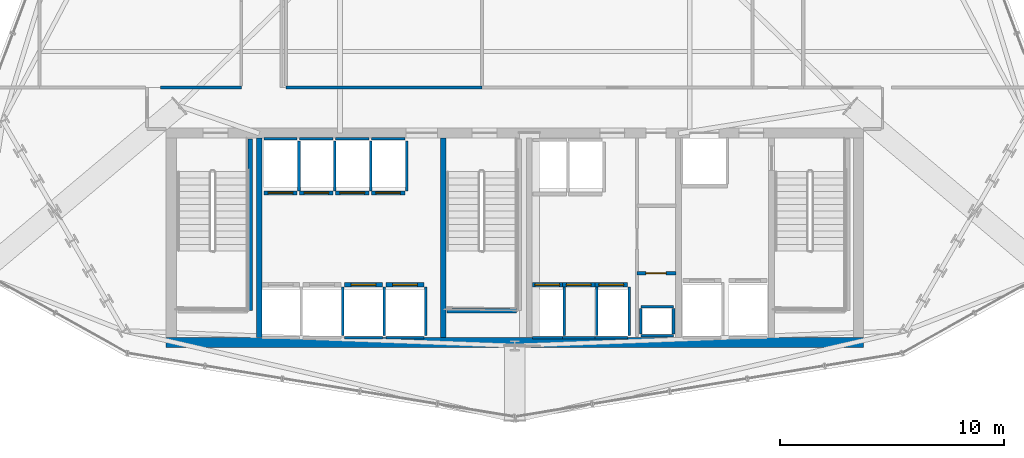
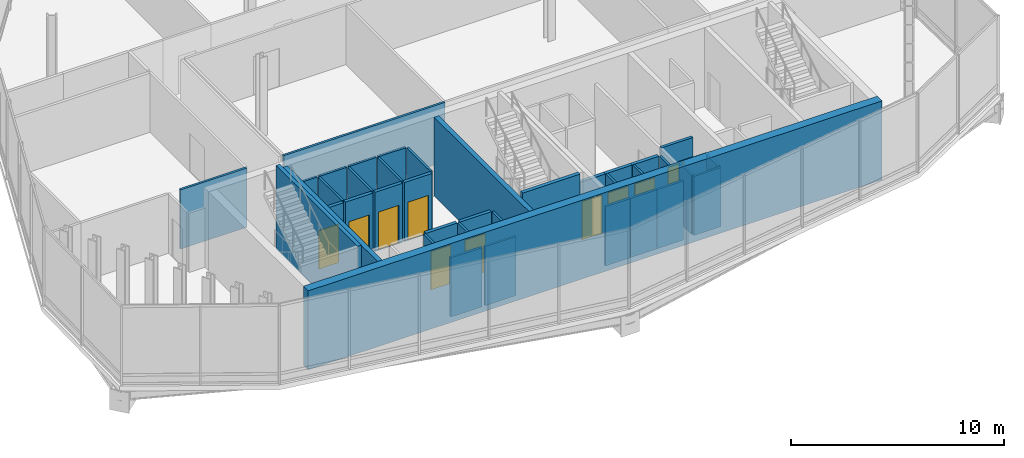
# One storey, part 21 of 26: 40 walls, 10 doors, 10 openings.
"""IFC4 building model written with IfcOpenShell, lengths in metres."""

from ifc_helpers import new_model, si_unit, direction, frame, frame_2d, origin, place, context, subcontext, project, spatial, rectangle, extrude, material, layer, layer_set, type_object, element, fill, save


model = new_model("IFC4")

# Units and contexts
model_context = context("Model", 3, precision=1e-05, world=origin(), true_north=direction((0.0, 1.0)))
body_context = subcontext(model_context, "Body", "Model", "MODEL_VIEW")
ifc_project = project(units=[si_unit("LENGTHUNIT", "METRE"), si_unit("AREAUNIT", "SQUARE_METRE"), si_unit("VOLUMEUNIT", "CUBIC_METRE"), si_unit("PLANEANGLEUNIT", "RADIAN"), si_unit("MASSUNIT", "GRAM", prefix="KILO")], contexts=[model_context])

# Site, building, storey
site_placement = place(None, origin())
site = spatial("IfcSite", under=ifc_project, at=site_placement, CompositionType="ELEMENT")
building_placement = place(site_placement, origin())
building = spatial("IfcBuilding", under=site, at=building_placement, Name="Ndaravel Arena Tower", CompositionType="ELEMENT")
storey_placement = place(building_placement, frame((0.0, 0.0, 117.39990234375)))
storey = spatial("IfcBuildingStorey", under=building, at=storey_placement, Name="L27", CompositionType="ELEMENT", Elevation=117.39990234375)

# Wall, opening, door
ifc_material_1 = material(Name="Gypsum", Category="gypsum")
ifc_layer_1 = layer(ifc_material_1, 0.14990234375)
ifc_layer_set_1 = layer_set([ifc_layer_1], Name="Gypsum")
wall_type_1 = type_object("IfcWallType", Name="WALL-COMP-150", PredefinedType="PARTITIONING", material=ifc_layer_set_1)
wall_1_placement = place(storey_placement, frame((47.449951171875, 8.719970703125, 0.0), z_axis=(0.0, 0.0, 1.0), x_axis=(1.0, 0.0, 0.0)))
wall_1 = element("IfcWall", 1, at=wall_1_placement, inside=storey, type_object=wall_type_1, Name="L27 Core Riser Divider 1", PredefinedType="PARTITIONING", context=body_context, shape_type="SweptSolid", body=[
    extrude(rectangle(XDim=1.72998046875, YDim=0.14990234375, at=frame_2d((0.864990234375, 0.0))), origin(), (0.0, 0.0, 1.0), 3.39013671875),
])
opening_1_placement = place(wall_1_placement, frame((0.39990234375, 0.0, 0.0)))
opening_1 = element("IfcOpeningElement", 2, at=opening_1_placement, cuts=wall_1, Name="Opening RD-01", PredefinedType="OPENING", context=body_context, shape_type="SweptSolid", body=[
    extrude(rectangle(XDim=0.89990234375, YDim=2.10009765625, at=frame_2d((0.449951171875, 1.050048828125))), frame((0.0, 0.074951171875, 0.0), z_axis=(0.0, -1.0, 0.0), x_axis=(1.0, 0.0, 0.0)), (0.0, 0.0, 1.0), 0.14990234375),
])
ifc_material_2 = material(Name="Steel S355", Category="steel")
door_type_1 = type_object("IfcDoorType", Name="DT-08-RISER-900", OperationType="SINGLE_SWING_LEFT", PredefinedType="DOOR", material=ifc_material_2)
door_1_placement = place(opening_1_placement, origin())
door_1 = element("IfcDoor", 3, at=door_1_placement, inside=storey, type_object=door_type_1, Name="L27 Low-Voltage Riser Door", OperationType="SINGLE_SWING_RIGHT", OverallHeight=2.10009765625, OverallWidth=0.89990234375, PredefinedType="DOOR", context=body_context, shape_type="SweptSolid", body=[
    extrude(rectangle(XDim=0.89990234375, YDim=2.10009765625, at=frame_2d((0.449951171875, 1.050048828125))), frame((0.0, 0.02490234375, 0.0), z_axis=(0.0, -1.0, 0.0), x_axis=(1.0, 0.0, 0.0)), (0.0, 0.0, 1.0), 0.050048828125),
])
fill(opening_1, door_1)

# Walls
ifc_material_3 = material(Name="Concrete C60/75", Category="concrete")
ifc_layer_2 = layer(ifc_material_3, 0.25)
ifc_layer_set_2 = layer_set([ifc_layer_2], Name="Concrete C60/75")
wall_type_2 = type_object("IfcWallType", Name="WALL-CORE-250", PredefinedType="SOLIDWALL", material=ifc_layer_set_2)
for number, where, z_axis, x_axis, name in (
    (4, (30.60009765625, 5.85009765625, 0.0), (0.0, 0.0, 1.0), (0.0, 1.0, 0.0), "L27 Core Web Shear Wall 1"),
    (5, (38.800048828125, 5.85009765625, 0.0), (0.0, 0.0, 1.0), (0.0, 1.0, 0.0), "L27 Core Web Shear Wall 2"),
):
    element("IfcWall", number, at=place(storey_placement, frame(where, z_axis=z_axis, x_axis=x_axis)), inside=storey, type_object=wall_type_2, Name=name, PredefinedType="SOLIDWALL", context=body_context, shape_type="SweptSolid", body=[
        extrude(rectangle(XDim=8.89990234375, YDim=0.25, at=frame_2d((4.449951171875, 0.0))), origin(), (0.0, 0.0, 1.0), 4.52001953125),
    ])
ifc_material_4 = material(Name="Concrete C60/75", Category="concrete")
ifc_layer_3 = layer(ifc_material_4, 0.449951171875)
ifc_layer_set_3 = layer_set([ifc_layer_3], Name="Concrete C60/75")
wall_type_3 = type_object("IfcWallType", Name="WALL-CORE-450", PredefinedType="SOLIDWALL", material=ifc_layer_set_3)
wall_2_placement = place(storey_placement, frame((26.449951171875, 5.625, 0.0), z_axis=(0.0, 0.0, 1.0), x_axis=(1.0, 0.0, 0.0)))
element("IfcWall", 6, at=wall_2_placement, inside=storey, type_object=wall_type_3, Name="L27 Core South Shear Wall", PredefinedType="SOLIDWALL", context=body_context, shape_type="SweptSolid", body=[
    extrude(rectangle(XDim=31.10009765625, YDim=0.449951171875, at=frame_2d((15.550048828125, 0.0))), origin(), (0.0, 0.0, 1.0), 4.52001953125),
])
ifc_material_5 = material(Name="Gypsum", Category="gypsum")
ifc_layer_4 = layer(ifc_material_5, 0.125)
ifc_layer_set_4 = layer_set([ifc_layer_4], Name="Gypsum")
wall_type_4 = type_object("IfcWallType", Name="WALL-PART-125", PredefinedType="PARTITIONING", material=ifc_layer_set_4)
wall_3_placement = place(storey_placement, frame((26.199951171875, 17.0, 0.0), z_axis=(0.0, 0.0, 1.0), x_axis=(1.0, 0.0, 0.0)))
element("IfcWall", 7, at=wall_3_placement, inside=storey, type_object=wall_type_4, Name="L27 Interior Partition 005", PredefinedType="PARTITIONING", context=body_context, shape_type="SweptSolid", body=[
    extrude(rectangle(XDim=3.60009765625, YDim=0.125, at=frame_2d((1.800048828125, 0.0))), origin(), (0.0, 0.0, 1.0), 3.39013671875),
])
wall_4_placement = place(storey_placement, frame((31.800048828125, 17.0, 0.0), z_axis=(0.0, 0.0, 1.0), x_axis=(1.0, 0.0, 0.0)))
element("IfcWall", 8, at=wall_4_placement, inside=storey, type_object=wall_type_4, Name="L27 Interior Partition 017", PredefinedType="PARTITIONING", context=body_context, shape_type="SweptSolid", body=[
    extrude(rectangle(XDim=8.73583984375, YDim=0.125, at=frame_2d((4.367919921875, 0.0))), origin(), (0.0, 0.0, 1.0), 3.39013671875),
])
ifc_material_6 = material(Name="Concrete C40/50", Category="concrete")
ifc_layer_5 = layer(ifc_material_6, 0.1201171875)
ifc_layer_set_5 = layer_set([ifc_layer_5], Name="Concrete C40/50")
wall_type_5 = type_object("IfcWallType", Name="WALL-SHAFT-120", PredefinedType="SOLIDWALL", material=ifc_layer_set_5)
for number, where, z_axis, x_axis, name in (
    (9, (47.6201171875, 5.919921875, 0.0), (0.0, 0.0, 1.0), (1.0, 0.0, 0.0), "L27 MEP Riser Shaft S Wall"),
    (10, (47.6201171875, 7.219970703125, 0.0), (0.0, 0.0, 1.0), (1.0, 0.0, 0.0), "L27 MEP Riser Shaft N Wall"),
):
    element("IfcWall", number, at=place(storey_placement, frame(where, z_axis=z_axis, x_axis=x_axis)), inside=storey, type_object=wall_type_5, Name=name, PredefinedType="SOLIDWALL", context=body_context, shape_type="SweptSolid", body=[
        extrude(rectangle(XDim=1.4599609375, YDim=0.1201171875, at=frame_2d((0.72998046875, 0.0))), origin(), (0.0, 0.0, 1.0), 3.39013671875),
    ])
for number, where, z_axis, x_axis, name in (
    (11, (47.6201171875, 6.0, 0.0), (0.0, 0.0, 1.0), (0.0, 1.0, 0.0), "L27 MEP Riser Shaft W Wall"),
    (12, (49.080078125, 6.0, 0.0), (0.0, 0.0, 1.0), (0.0, 1.0, 0.0), "L27 MEP Riser Shaft E Wall"),
):
    element("IfcWall", number, at=place(storey_placement, frame(where, z_axis=z_axis, x_axis=x_axis)), inside=storey, type_object=wall_type_5, Name=name, PredefinedType="SOLIDWALL", context=body_context, shape_type="SweptSolid", body=[
        extrude(rectangle(XDim=1.139892578125, YDim=0.1201171875, at=frame_2d((0.56982421875, 0.0))), origin(), (0.0, 0.0, 1.0), 3.39013671875),
    ])
wall_5_placement = place(storey_placement, frame((34.324951171875, 5.929931640625, 0.0), z_axis=(0.0, 0.0, 1.0), x_axis=(0.0, 1.0, 0.0)))
element("IfcWall", 13, at=wall_5_placement, inside=storey, type_object=wall_type_5, Name="L27 PL-L2 Shaft Side R Wall", PredefinedType="SOLIDWALL", context=body_context, shape_type="SweptSolid", body=[
    extrude(rectangle(XDim=2.18017578125, YDim=0.1201171875, at=frame_2d((1.090087890625, 0.0))), origin(), (0.0, 0.0, 1.0), 3.39013671875),
])
wall_6_placement = place(storey_placement, frame((34.405029296875, 5.840087890625, 0.0), z_axis=(0.0, 0.0, 1.0), x_axis=(1.0, 0.0, 0.0)))
element("IfcWall", 14, at=wall_6_placement, inside=storey, type_object=wall_type_5, Name="L27 PL-L3 Shaft Rear Wall", PredefinedType="SOLIDWALL", context=body_context, shape_type="SweptSolid", body=[
    extrude(rectangle(XDim=1.68994140625, YDim=0.1201171875, at=frame_2d((0.844970703125, 0.0))), origin(), (0.0, 0.0, 1.0), 3.39013671875),
])
wall_7_placement = place(storey_placement, frame((36.175048828125, 5.929931640625, 0.0), z_axis=(0.0, 0.0, 1.0), x_axis=(0.0, 1.0, 0.0)))
element("IfcWall", 15, at=wall_7_placement, inside=storey, type_object=wall_type_5, Name="L27 PL-L3 Shaft Side R Wall", PredefinedType="SOLIDWALL", context=body_context, shape_type="SweptSolid", body=[
    extrude(rectangle(XDim=2.18017578125, YDim=0.1201171875, at=frame_2d((1.090087890625, 0.0))), origin(), (0.0, 0.0, 1.0), 3.39013671875),
])
wall_8_placement = place(storey_placement, frame((36.2548828125, 5.840087890625, 0.0), z_axis=(0.0, 0.0, 1.0), x_axis=(1.0, 0.0, 0.0)))
element("IfcWall", 16, at=wall_8_placement, inside=storey, type_object=wall_type_5, Name="L27 PL-L4 Shaft Rear Wall", PredefinedType="SOLIDWALL", context=body_context, shape_type="SweptSolid", body=[
    extrude(rectangle(XDim=1.690185546875, YDim=0.1201171875, at=frame_2d((0.84521484375, 0.0))), origin(), (0.0, 0.0, 1.0), 3.39013671875),
])
wall_9_placement = place(storey_placement, frame((38.02490234375, 5.929931640625, 0.0), z_axis=(0.0, 0.0, 1.0), x_axis=(0.0, 1.0, 0.0)))
element("IfcWall", 17, at=wall_9_placement, inside=storey, type_object=wall_type_5, Name="L27 PL-L4 Shaft Side R Wall", PredefinedType="SOLIDWALL", context=body_context, shape_type="SweptSolid", body=[
    extrude(rectangle(XDim=2.18017578125, YDim=0.1201171875, at=frame_2d((1.090087890625, 0.0))), origin(), (0.0, 0.0, 1.0), 3.39013671875),
])
wall_10_placement = place(storey_placement, frame((30.804931640625, 14.7099609375, 0.0), z_axis=(0.0, 0.0, 1.0), x_axis=(1.0, 0.0, 0.0)))
element("IfcWall", 18, at=wall_10_placement, inside=storey, type_object=wall_type_5, Name="L27 PL-M1 Shaft Rear Wall", PredefinedType="SOLIDWALL", context=body_context, shape_type="SweptSolid", body=[
    extrude(rectangle(XDim=1.489990234375, YDim=0.1201171875, at=frame_2d((0.7451171875, 0.0))), origin(), (0.0, 0.0, 1.0), 3.39013671875),
])
wall_11_placement = place(storey_placement, frame((32.375, 12.389892578125, 0.0), z_axis=(0.0, 0.0, 1.0), x_axis=(0.0, 1.0, 0.0)))
element("IfcWall", 19, at=wall_11_placement, inside=storey, type_object=wall_type_5, Name="L27 PL-M1 Shaft Side R Wall", PredefinedType="SOLIDWALL", context=body_context, shape_type="SweptSolid", body=[
    extrude(rectangle(XDim=2.230224609375, YDim=0.1201171875, at=frame_2d((1.115234375, 0.0))), origin(), (0.0, 0.0, 1.0), 3.39013671875),
])
wall_12_placement = place(storey_placement, frame((32.405029296875, 14.7099609375, 0.0), z_axis=(0.0, 0.0, 1.0), x_axis=(1.0, 0.0, 0.0)))
element("IfcWall", 20, at=wall_12_placement, inside=storey, type_object=wall_type_5, Name="L27 PL-M2 Shaft Rear Wall", PredefinedType="SOLIDWALL", context=body_context, shape_type="SweptSolid", body=[
    extrude(rectangle(XDim=1.489990234375, YDim=0.1201171875, at=frame_2d((0.7451171875, 0.0))), origin(), (0.0, 0.0, 1.0), 3.39013671875),
])
wall_13_placement = place(storey_placement, frame((33.97509765625, 12.389892578125, 0.0), z_axis=(0.0, 0.0, 1.0), x_axis=(0.0, 1.0, 0.0)))
element("IfcWall", 21, at=wall_13_placement, inside=storey, type_object=wall_type_5, Name="L27 PL-M2 Shaft Side R Wall", PredefinedType="SOLIDWALL", context=body_context, shape_type="SweptSolid", body=[
    extrude(rectangle(XDim=2.230224609375, YDim=0.1201171875, at=frame_2d((1.115234375, 0.0))), origin(), (0.0, 0.0, 1.0), 3.39013671875),
])
wall_14_placement = place(storey_placement, frame((34.0048828125, 14.7099609375, 0.0), z_axis=(0.0, 0.0, 1.0), x_axis=(1.0, 0.0, 0.0)))
element("IfcWall", 22, at=wall_14_placement, inside=storey, type_object=wall_type_5, Name="L27 PL-M3 Shaft Rear Wall", PredefinedType="SOLIDWALL", context=body_context, shape_type="SweptSolid", body=[
    extrude(rectangle(XDim=1.490234375, YDim=0.1201171875, at=frame_2d((0.7451171875, 0.0))), origin(), (0.0, 0.0, 1.0), 3.39013671875),
])
wall_15_placement = place(storey_placement, frame((35.574951171875, 12.389892578125, 0.0), z_axis=(0.0, 0.0, 1.0), x_axis=(0.0, 1.0, 0.0)))
element("IfcWall", 23, at=wall_15_placement, inside=storey, type_object=wall_type_5, Name="L27 PL-M3 Shaft Side R Wall", PredefinedType="SOLIDWALL", context=body_context, shape_type="SweptSolid", body=[
    extrude(rectangle(XDim=2.230224609375, YDim=0.1201171875, at=frame_2d((1.115234375, 0.0))), origin(), (0.0, 0.0, 1.0), 3.39013671875),
])
wall_16_placement = place(storey_placement, frame((35.60498046875, 14.7099609375, 0.0), z_axis=(0.0, 0.0, 1.0), x_axis=(1.0, 0.0, 0.0)))
element("IfcWall", 24, at=wall_16_placement, inside=storey, type_object=wall_type_5, Name="L27 PL-M4 Shaft Rear Wall", PredefinedType="SOLIDWALL", context=body_context, shape_type="SweptSolid", body=[
    extrude(rectangle(XDim=1.489990234375, YDim=0.1201171875, at=frame_2d((0.7451171875, 0.0))), origin(), (0.0, 0.0, 1.0), 3.39013671875),
])
wall_17_placement = place(storey_placement, frame((37.175048828125, 12.389892578125, 0.0), z_axis=(0.0, 0.0, 1.0), x_axis=(0.0, 1.0, 0.0)))
element("IfcWall", 25, at=wall_17_placement, inside=storey, type_object=wall_type_5, Name="L27 PL-M4 Shaft Side R Wall", PredefinedType="SOLIDWALL", context=body_context, shape_type="SweptSolid", body=[
    extrude(rectangle(XDim=2.230224609375, YDim=0.1201171875, at=frame_2d((1.115234375, 0.0))), origin(), (0.0, 0.0, 1.0), 3.39013671875),
])
wall_18_placement = place(storey_placement, frame((42.780029296875, 5.840087890625, 0.0), z_axis=(0.0, 0.0, 1.0), x_axis=(1.0, 0.0, 0.0)))
element("IfcWall", 26, at=wall_18_placement, inside=storey, type_object=wall_type_5, Name="L27 PL-H1 Shaft Rear Wall", PredefinedType="SOLIDWALL", context=body_context, shape_type="SweptSolid", body=[
    extrude(rectangle(XDim=1.340087890625, YDim=0.1201171875, at=frame_2d((0.669921875, 0.0))), origin(), (0.0, 0.0, 1.0), 3.39013671875),
])
wall_19_placement = place(storey_placement, frame((44.199951171875, 5.929931640625, 0.0), z_axis=(0.0, 0.0, 1.0), x_axis=(0.0, 1.0, 0.0)))
element("IfcWall", 27, at=wall_19_placement, inside=storey, type_object=wall_type_5, Name="L27 PL-H1 Shaft Side R Wall", PredefinedType="SOLIDWALL", context=body_context, shape_type="SweptSolid", body=[
    extrude(rectangle(XDim=2.18017578125, YDim=0.1201171875, at=frame_2d((1.090087890625, 0.0))), origin(), (0.0, 0.0, 1.0), 3.39013671875),
])
wall_20_placement = place(storey_placement, frame((44.1298828125, 5.840087890625, 0.0), z_axis=(0.0, 0.0, 1.0), x_axis=(1.0, 0.0, 0.0)))
element("IfcWall", 28, at=wall_20_placement, inside=storey, type_object=wall_type_5, Name="L27 PL-H2 Shaft Rear Wall", PredefinedType="SOLIDWALL", context=body_context, shape_type="SweptSolid", body=[
    extrude(rectangle(XDim=1.440185546875, YDim=0.1201171875, at=frame_2d((0.72021484375, 0.0))), origin(), (0.0, 0.0, 1.0), 3.39013671875),
])
wall_21_placement = place(storey_placement, frame((45.64990234375, 5.929931640625, 0.0), z_axis=(0.0, 0.0, 1.0), x_axis=(0.0, 1.0, 0.0)))
element("IfcWall", 29, at=wall_21_placement, inside=storey, type_object=wall_type_5, Name="L27 PL-H2 Shaft Side R Wall", PredefinedType="SOLIDWALL", context=body_context, shape_type="SweptSolid", body=[
    extrude(rectangle(XDim=2.18017578125, YDim=0.1201171875, at=frame_2d((1.090087890625, 0.0))), origin(), (0.0, 0.0, 1.0), 3.39013671875),
])
wall_22_placement = place(storey_placement, frame((45.580078125, 5.840087890625, 0.0), z_axis=(0.0, 0.0, 1.0), x_axis=(1.0, 0.0, 0.0)))
element("IfcWall", 30, at=wall_22_placement, inside=storey, type_object=wall_type_5, Name="L27 PL-H3 Shaft Rear Wall", PredefinedType="SOLIDWALL", context=body_context, shape_type="SweptSolid", body=[
    extrude(rectangle(XDim=1.43994140625, YDim=0.1201171875, at=frame_2d((0.719970703125, 0.0))), origin(), (0.0, 0.0, 1.0), 3.39013671875),
])
wall_23_placement = place(storey_placement, frame((47.10009765625, 5.929931640625, 0.0), z_axis=(0.0, 0.0, 1.0), x_axis=(0.0, 1.0, 0.0)))
element("IfcWall", 31, at=wall_23_placement, inside=storey, type_object=wall_type_5, Name="L27 PL-H3 Shaft Side R Wall", PredefinedType="SOLIDWALL", context=body_context, shape_type="SweptSolid", body=[
    extrude(rectangle(XDim=2.18017578125, YDim=0.1201171875, at=frame_2d((1.090087890625, 0.0))), origin(), (0.0, 0.0, 1.0), 3.39013671875),
])
ifc_material_7 = material(Name="Concrete C40/50", Category="concrete")
ifc_layer_6 = layer(ifc_material_7, 0.199951171875)
ifc_layer_set_6 = layer_set([ifc_layer_6], Name="Concrete C40/50")
wall_type_6 = type_object("IfcWallType", Name="WALL-SHAFT-200", PredefinedType="SOLIDWALL", material=ifc_layer_set_6)
wall_24_placement = place(storey_placement, frame((30.18994140625, 14.699951171875, 0.0), z_axis=(0.0, 0.0, 1.0), x_axis=(0.0, -1.0, 0.0)))
element("IfcWall", 32, at=wall_24_placement, inside=storey, type_object=wall_type_6, Name="L27 ST-1 Structural Shaft Wall Right", PredefinedType="SOLIDWALL", context=body_context, shape_type="SweptSolid", body=[
    extrude(rectangle(XDim=7.64990234375, YDim=0.199951171875, at=frame_2d((3.824951171875, 0.0))), origin(), (0.0, 0.0, 1.0), 4.800048828125),
])
wall_25_placement = place(storey_placement, frame((38.969970703125, 7.050048828125, 0.0), z_axis=(0.0, 0.0, 1.0), x_axis=(1.0, 0.0, 0.0)))
element("IfcWall", 33, at=wall_25_placement, inside=storey, type_object=wall_type_6, Name="L27 ST-2 Structural Shaft Wall Far", PredefinedType="SOLIDWALL", context=body_context, shape_type="SweptSolid", body=[
    extrude(rectangle(XDim=3.114990234375, YDim=0.199951171875, at=frame_2d((1.5576171875, 0.0))), origin(), (0.0, 0.0, 1.0), 4.800048828125),
])

# Wall, opening, door
wall_26_placement = place(storey_placement, frame((34.405029296875, 8.199951171875, 0.0), z_axis=(0.0, 0.0, 1.0), x_axis=(1.0, 0.0, 0.0)))
wall_26 = element("IfcWall", 34, at=wall_26_placement, inside=storey, type_object=wall_type_6, Name="L27 PL-L3 Shaft Landing Wall", PredefinedType="SOLIDWALL", context=body_context, shape_type="SweptSolid", body=[
    extrude(rectangle(XDim=1.68994140625, YDim=0.179931640625, at=frame_2d((0.844970703125, 0.0))), origin(), (0.0, 0.0, 1.0), 3.39013671875),
])
opening_2_placement = place(wall_26_placement, frame((0.294921875, 0.0, 0.0)))
opening_2 = element("IfcOpeningElement", 35, at=opening_2_placement, cuts=wall_26, Name="Opening LD-01", PredefinedType="OPENING", context=body_context, shape_type="SweptSolid", body=[
    extrude(rectangle(XDim=1.10009765625, YDim=2.199951171875, at=frame_2d((0.550048828125, 1.10009765625))), frame((0.0, 0.08984375, 0.0), z_axis=(0.0, -1.0, 0.0), x_axis=(1.0, 0.0, 0.0)), (0.0, 0.0, 1.0), 0.179931640625),
])
ifc_material_8 = material(Name="Steel S355", Category="steel")
door_type_2 = type_object("IfcDoorType", Name="DT-06-LIFT-1100", OperationType="SLIDING_TO_LEFT", PredefinedType="DOOR", material=ifc_material_8)
door_2_placement = place(opening_2_placement, origin())
door_2 = element("IfcDoor", 36, at=door_2_placement, inside=storey, type_object=door_type_2, Name="L27 Lift PL-L3 Sliding Landing Door", OperationType="SLIDING_TO_LEFT", OverallHeight=2.199951171875, OverallWidth=1.10009765625, PredefinedType="DOOR", context=body_context, shape_type="SweptSolid", body=[
    extrude(rectangle(XDim=1.10009765625, YDim=2.199951171875, at=frame_2d((0.550048828125, 1.10009765625))), frame((0.0, 0.02490234375, 0.0), z_axis=(0.0, -1.0, 0.0), x_axis=(1.0, 0.0, 0.0)), (0.0, 0.0, 1.0), 0.050048828125),
])
fill(opening_2, door_2)

wall_27_placement = place(storey_placement, frame((36.2548828125, 8.199951171875, 0.0), z_axis=(0.0, 0.0, 1.0), x_axis=(1.0, 0.0, 0.0)))
wall_27 = element("IfcWall", 37, at=wall_27_placement, inside=storey, type_object=wall_type_6, Name="L27 PL-L4 Shaft Landing Wall", PredefinedType="SOLIDWALL", context=body_context, shape_type="SweptSolid", body=[
    extrude(rectangle(XDim=1.690185546875, YDim=0.179931640625, at=frame_2d((0.84521484375, 0.0))), origin(), (0.0, 0.0, 1.0), 3.39013671875),
])
opening_3_placement = place(wall_27_placement, frame((0.294921875, 0.0, 0.0)))
opening_3 = element("IfcOpeningElement", 38, at=opening_3_placement, cuts=wall_27, Name="Opening LD-01", PredefinedType="OPENING", context=body_context, shape_type="SweptSolid", body=[
    extrude(rectangle(XDim=1.10009765625, YDim=2.199951171875, at=frame_2d((0.550048828125, 1.10009765625))), frame((0.0, 0.08984375, 0.0), z_axis=(0.0, -1.0, 0.0), x_axis=(1.0, 0.0, 0.0)), (0.0, 0.0, 1.0), 0.179931640625),
])
door_3_placement = place(opening_3_placement, origin())
door_3 = element("IfcDoor", 39, at=door_3_placement, inside=storey, type_object=door_type_2, Name="L27 Lift PL-L4 Sliding Landing Door", OperationType="SLIDING_TO_LEFT", OverallHeight=2.199951171875, OverallWidth=1.10009765625, PredefinedType="DOOR", context=body_context, shape_type="SweptSolid", body=[
    extrude(rectangle(XDim=1.10009765625, YDim=2.199951171875, at=frame_2d((0.550048828125, 1.10009765625))), frame((0.0, 0.02490234375, 0.0), z_axis=(0.0, -1.0, 0.0), x_axis=(1.0, 0.0, 0.0)), (0.0, 0.0, 1.0), 0.050048828125),
])
fill(opening_3, door_3)

wall_28_placement = place(storey_placement, frame((30.804931640625, 12.300048828125, 0.0), z_axis=(0.0, 0.0, 1.0), x_axis=(1.0, 0.0, 0.0)))
wall_28 = element("IfcWall", 40, at=wall_28_placement, inside=storey, type_object=wall_type_6, Name="L27 PL-M1 Shaft Landing Wall", PredefinedType="SOLIDWALL", context=body_context, shape_type="SweptSolid", body=[
    extrude(rectangle(XDim=1.489990234375, YDim=0.179931640625, at=frame_2d((0.7451171875, 0.0))), origin(), (0.0, 0.0, 1.0), 3.39013671875),
])
opening_4_placement = place(wall_28_placement, frame((0.195068359375, 0.0, 0.0)))
opening_4 = element("IfcOpeningElement", 41, at=opening_4_placement, cuts=wall_28, Name="Opening LD-01", PredefinedType="OPENING", context=body_context, shape_type="SweptSolid", body=[
    extrude(rectangle(XDim=1.10009765625, YDim=2.199951171875, at=frame_2d((0.550048828125, 1.10009765625))), frame((0.0, 0.08984375, 0.0), z_axis=(0.0, -1.0, 0.0), x_axis=(1.0, 0.0, 0.0)), (0.0, 0.0, 1.0), 0.179931640625),
])
door_4_placement = place(opening_4_placement, origin())
door_4 = element("IfcDoor", 42, at=door_4_placement, inside=storey, type_object=door_type_2, Name="L27 Lift PL-M1 Sliding Landing Door", OperationType="SLIDING_TO_LEFT", OverallHeight=2.199951171875, OverallWidth=1.10009765625, PredefinedType="DOOR", context=body_context, shape_type="SweptSolid", body=[
    extrude(rectangle(XDim=1.10009765625, YDim=2.199951171875, at=frame_2d((0.550048828125, 1.10009765625))), frame((0.0, 0.02490234375, 0.0), z_axis=(0.0, -1.0, 0.0), x_axis=(1.0, 0.0, 0.0)), (0.0, 0.0, 1.0), 0.050048828125),
])
fill(opening_4, door_4)

wall_29_placement = place(storey_placement, frame((32.405029296875, 12.300048828125, 0.0), z_axis=(0.0, 0.0, 1.0), x_axis=(1.0, 0.0, 0.0)))
wall_29 = element("IfcWall", 43, at=wall_29_placement, inside=storey, type_object=wall_type_6, Name="L27 PL-M2 Shaft Landing Wall", PredefinedType="SOLIDWALL", context=body_context, shape_type="SweptSolid", body=[
    extrude(rectangle(XDim=1.489990234375, YDim=0.179931640625, at=frame_2d((0.7451171875, 0.0))), origin(), (0.0, 0.0, 1.0), 3.39013671875),
])
opening_5_placement = place(wall_29_placement, frame((0.195068359375, 0.0, 0.0)))
opening_5 = element("IfcOpeningElement", 44, at=opening_5_placement, cuts=wall_29, Name="Opening LD-01", PredefinedType="OPENING", context=body_context, shape_type="SweptSolid", body=[
    extrude(rectangle(XDim=1.10009765625, YDim=2.199951171875, at=frame_2d((0.550048828125, 1.10009765625))), frame((0.0, 0.08984375, 0.0), z_axis=(0.0, -1.0, 0.0), x_axis=(1.0, 0.0, 0.0)), (0.0, 0.0, 1.0), 0.179931640625),
])
door_5_placement = place(opening_5_placement, origin())
door_5 = element("IfcDoor", 45, at=door_5_placement, inside=storey, type_object=door_type_2, Name="L27 Lift PL-M2 Sliding Landing Door", OperationType="SLIDING_TO_LEFT", OverallHeight=2.199951171875, OverallWidth=1.10009765625, PredefinedType="DOOR", context=body_context, shape_type="SweptSolid", body=[
    extrude(rectangle(XDim=1.10009765625, YDim=2.199951171875, at=frame_2d((0.550048828125, 1.10009765625))), frame((0.0, 0.02490234375, 0.0), z_axis=(0.0, -1.0, 0.0), x_axis=(1.0, 0.0, 0.0)), (0.0, 0.0, 1.0), 0.050048828125),
])
fill(opening_5, door_5)

wall_30_placement = place(storey_placement, frame((34.0048828125, 12.300048828125, 0.0), z_axis=(0.0, 0.0, 1.0), x_axis=(1.0, 0.0, 0.0)))
wall_30 = element("IfcWall", 46, at=wall_30_placement, inside=storey, type_object=wall_type_6, Name="L27 PL-M3 Shaft Landing Wall", PredefinedType="SOLIDWALL", context=body_context, shape_type="SweptSolid", body=[
    extrude(rectangle(XDim=1.490234375, YDim=0.179931640625, at=frame_2d((0.7451171875, 0.0))), origin(), (0.0, 0.0, 1.0), 3.39013671875),
])
opening_6_placement = place(wall_30_placement, frame((0.195068359375, 0.0, 0.0)))
opening_6 = element("IfcOpeningElement", 47, at=opening_6_placement, cuts=wall_30, Name="Opening LD-01", PredefinedType="OPENING", context=body_context, shape_type="SweptSolid", body=[
    extrude(rectangle(XDim=1.10009765625, YDim=2.199951171875, at=frame_2d((0.550048828125, 1.10009765625))), frame((0.0, 0.08984375, 0.0), z_axis=(0.0, -1.0, 0.0), x_axis=(1.0, 0.0, 0.0)), (0.0, 0.0, 1.0), 0.179931640625),
])
door_6_placement = place(opening_6_placement, origin())
door_6 = element("IfcDoor", 48, at=door_6_placement, inside=storey, type_object=door_type_2, Name="L27 Lift PL-M3 Sliding Landing Door", OperationType="SLIDING_TO_LEFT", OverallHeight=2.199951171875, OverallWidth=1.10009765625, PredefinedType="DOOR", context=body_context, shape_type="SweptSolid", body=[
    extrude(rectangle(XDim=1.10009765625, YDim=2.199951171875, at=frame_2d((0.550048828125, 1.10009765625))), frame((0.0, 0.02490234375, 0.0), z_axis=(0.0, -1.0, 0.0), x_axis=(1.0, 0.0, 0.0)), (0.0, 0.0, 1.0), 0.050048828125),
])
fill(opening_6, door_6)

wall_31_placement = place(storey_placement, frame((35.60498046875, 12.300048828125, 0.0), z_axis=(0.0, 0.0, 1.0), x_axis=(1.0, 0.0, 0.0)))
wall_31 = element("IfcWall", 49, at=wall_31_placement, inside=storey, type_object=wall_type_6, Name="L27 PL-M4 Shaft Landing Wall", PredefinedType="SOLIDWALL", context=body_context, shape_type="SweptSolid", body=[
    extrude(rectangle(XDim=1.489990234375, YDim=0.179931640625, at=frame_2d((0.7451171875, 0.0))), origin(), (0.0, 0.0, 1.0), 3.39013671875),
])
opening_7_placement = place(wall_31_placement, frame((0.195068359375, 0.0, 0.0)))
opening_7 = element("IfcOpeningElement", 50, at=opening_7_placement, cuts=wall_31, Name="Opening LD-01", PredefinedType="OPENING", context=body_context, shape_type="SweptSolid", body=[
    extrude(rectangle(XDim=1.10009765625, YDim=2.199951171875, at=frame_2d((0.550048828125, 1.10009765625))), frame((0.0, 0.08984375, 0.0), z_axis=(0.0, -1.0, 0.0), x_axis=(1.0, 0.0, 0.0)), (0.0, 0.0, 1.0), 0.179931640625),
])
door_7_placement = place(opening_7_placement, origin())
door_7 = element("IfcDoor", 51, at=door_7_placement, inside=storey, type_object=door_type_2, Name="L27 Lift PL-M4 Sliding Landing Door", OperationType="SLIDING_TO_LEFT", OverallHeight=2.199951171875, OverallWidth=1.10009765625, PredefinedType="DOOR", context=body_context, shape_type="SweptSolid", body=[
    extrude(rectangle(XDim=1.10009765625, YDim=2.199951171875, at=frame_2d((0.550048828125, 1.10009765625))), frame((0.0, 0.02490234375, 0.0), z_axis=(0.0, -1.0, 0.0), x_axis=(1.0, 0.0, 0.0)), (0.0, 0.0, 1.0), 0.050048828125),
])
fill(opening_7, door_7)

wall_32_placement = place(storey_placement, frame((42.780029296875, 8.199951171875, 0.0), z_axis=(0.0, 0.0, 1.0), x_axis=(1.0, 0.0, 0.0)))
wall_32 = element("IfcWall", 52, at=wall_32_placement, inside=storey, type_object=wall_type_6, Name="L27 PL-H1 Shaft Landing Wall", PredefinedType="SOLIDWALL", context=body_context, shape_type="SweptSolid", body=[
    extrude(rectangle(XDim=1.340087890625, YDim=0.179931640625, at=frame_2d((0.669921875, 0.0))), origin(), (0.0, 0.0, 1.0), 3.39013671875),
])
opening_8_placement = place(wall_32_placement, frame((0.1201171875, 0.0, 0.0)))
opening_8 = element("IfcOpeningElement", 53, at=opening_8_placement, cuts=wall_32, Name="Opening LD-01", PredefinedType="OPENING", context=body_context, shape_type="SweptSolid", body=[
    extrude(rectangle(XDim=1.10009765625, YDim=2.199951171875, at=frame_2d((0.550048828125, 1.10009765625))), frame((0.0, 0.08984375, 0.0), z_axis=(0.0, -1.0, 0.0), x_axis=(1.0, 0.0, 0.0)), (0.0, 0.0, 1.0), 0.179931640625),
])
door_8_placement = place(opening_8_placement, origin())
door_8 = element("IfcDoor", 54, at=door_8_placement, inside=storey, type_object=door_type_2, Name="L27 Lift PL-H1 Sliding Landing Door", OperationType="SLIDING_TO_LEFT", OverallHeight=2.199951171875, OverallWidth=1.10009765625, PredefinedType="DOOR", context=body_context, shape_type="SweptSolid", body=[
    extrude(rectangle(XDim=1.10009765625, YDim=2.199951171875, at=frame_2d((0.550048828125, 1.10009765625))), frame((0.0, 0.02490234375, 0.0), z_axis=(0.0, -1.0, 0.0), x_axis=(1.0, 0.0, 0.0)), (0.0, 0.0, 1.0), 0.050048828125),
])
fill(opening_8, door_8)

wall_33_placement = place(storey_placement, frame((44.1298828125, 8.199951171875, 0.0), z_axis=(0.0, 0.0, 1.0), x_axis=(1.0, 0.0, 0.0)))
wall_33 = element("IfcWall", 55, at=wall_33_placement, inside=storey, type_object=wall_type_6, Name="L27 PL-H2 Shaft Landing Wall", PredefinedType="SOLIDWALL", context=body_context, shape_type="SweptSolid", body=[
    extrude(rectangle(XDim=1.440185546875, YDim=0.179931640625, at=frame_2d((0.72021484375, 0.0))), origin(), (0.0, 0.0, 1.0), 3.39013671875),
])
opening_9_placement = place(wall_33_placement, frame((0.169921875, 0.0, 0.0)))
opening_9 = element("IfcOpeningElement", 56, at=opening_9_placement, cuts=wall_33, Name="Opening LD-01", PredefinedType="OPENING", context=body_context, shape_type="SweptSolid", body=[
    extrude(rectangle(XDim=1.10009765625, YDim=2.199951171875, at=frame_2d((0.550048828125, 1.10009765625))), frame((0.0, 0.08984375, 0.0), z_axis=(0.0, -1.0, 0.0), x_axis=(1.0, 0.0, 0.0)), (0.0, 0.0, 1.0), 0.179931640625),
])
door_9_placement = place(opening_9_placement, origin())
door_9 = element("IfcDoor", 57, at=door_9_placement, inside=storey, type_object=door_type_2, Name="L27 Lift PL-H2 Sliding Landing Door", OperationType="SLIDING_TO_LEFT", OverallHeight=2.199951171875, OverallWidth=1.10009765625, PredefinedType="DOOR", context=body_context, shape_type="SweptSolid", body=[
    extrude(rectangle(XDim=1.10009765625, YDim=2.199951171875, at=frame_2d((0.550048828125, 1.10009765625))), frame((0.0, 0.02490234375, 0.0), z_axis=(0.0, -1.0, 0.0), x_axis=(1.0, 0.0, 0.0)), (0.0, 0.0, 1.0), 0.050048828125),
])
fill(opening_9, door_9)

wall_34_placement = place(storey_placement, frame((45.580078125, 8.199951171875, 0.0), z_axis=(0.0, 0.0, 1.0), x_axis=(1.0, 0.0, 0.0)))
wall_34 = element("IfcWall", 58, at=wall_34_placement, inside=storey, type_object=wall_type_6, Name="L27 PL-H3 Shaft Landing Wall", PredefinedType="SOLIDWALL", context=body_context, shape_type="SweptSolid", body=[
    extrude(rectangle(XDim=1.43994140625, YDim=0.179931640625, at=frame_2d((0.719970703125, 0.0))), origin(), (0.0, 0.0, 1.0), 3.39013671875),
])
opening_10_placement = place(wall_34_placement, frame((0.169921875, 0.0, 0.0)))
opening_10 = element("IfcOpeningElement", 59, at=opening_10_placement, cuts=wall_34, Name="Opening LD-01", PredefinedType="OPENING", context=body_context, shape_type="SweptSolid", body=[
    extrude(rectangle(XDim=1.10009765625, YDim=2.199951171875, at=frame_2d((0.550048828125, 1.10009765625))), frame((0.0, 0.08984375, 0.0), z_axis=(0.0, -1.0, 0.0), x_axis=(1.0, 0.0, 0.0)), (0.0, 0.0, 1.0), 0.179931640625),
])
door_10_placement = place(opening_10_placement, origin())
door_10 = element("IfcDoor", 60, at=door_10_placement, inside=storey, type_object=door_type_2, Name="L27 Lift PL-H3 Sliding Landing Door", OperationType="SLIDING_TO_LEFT", OverallHeight=2.199951171875, OverallWidth=1.10009765625, PredefinedType="DOOR", context=body_context, shape_type="SweptSolid", body=[
    extrude(rectangle(XDim=1.10009765625, YDim=2.199951171875, at=frame_2d((0.550048828125, 1.10009765625))), frame((0.0, 0.02490234375, 0.0), z_axis=(0.0, -1.0, 0.0), x_axis=(1.0, 0.0, 0.0)), (0.0, 0.0, 1.0), 0.050048828125),
])
fill(opening_10, door_10)

save(model, "model.ifc")
